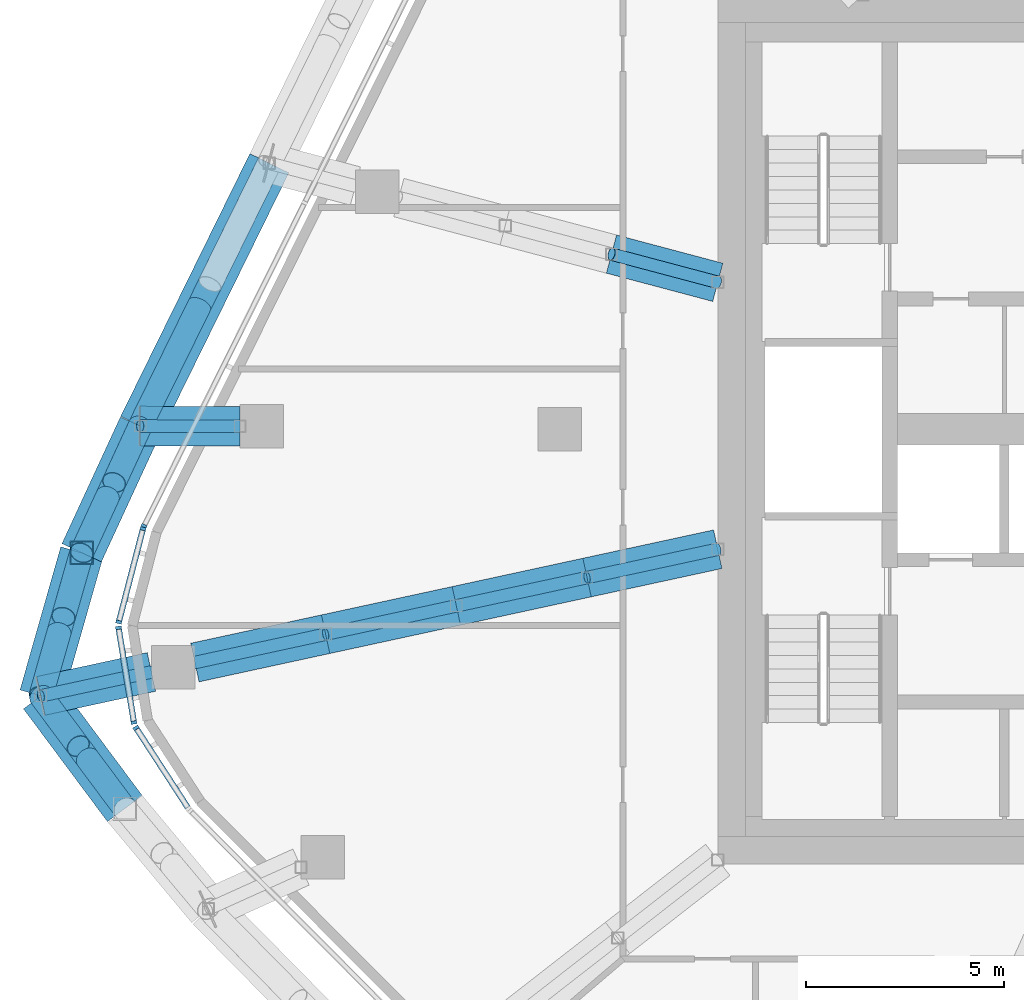
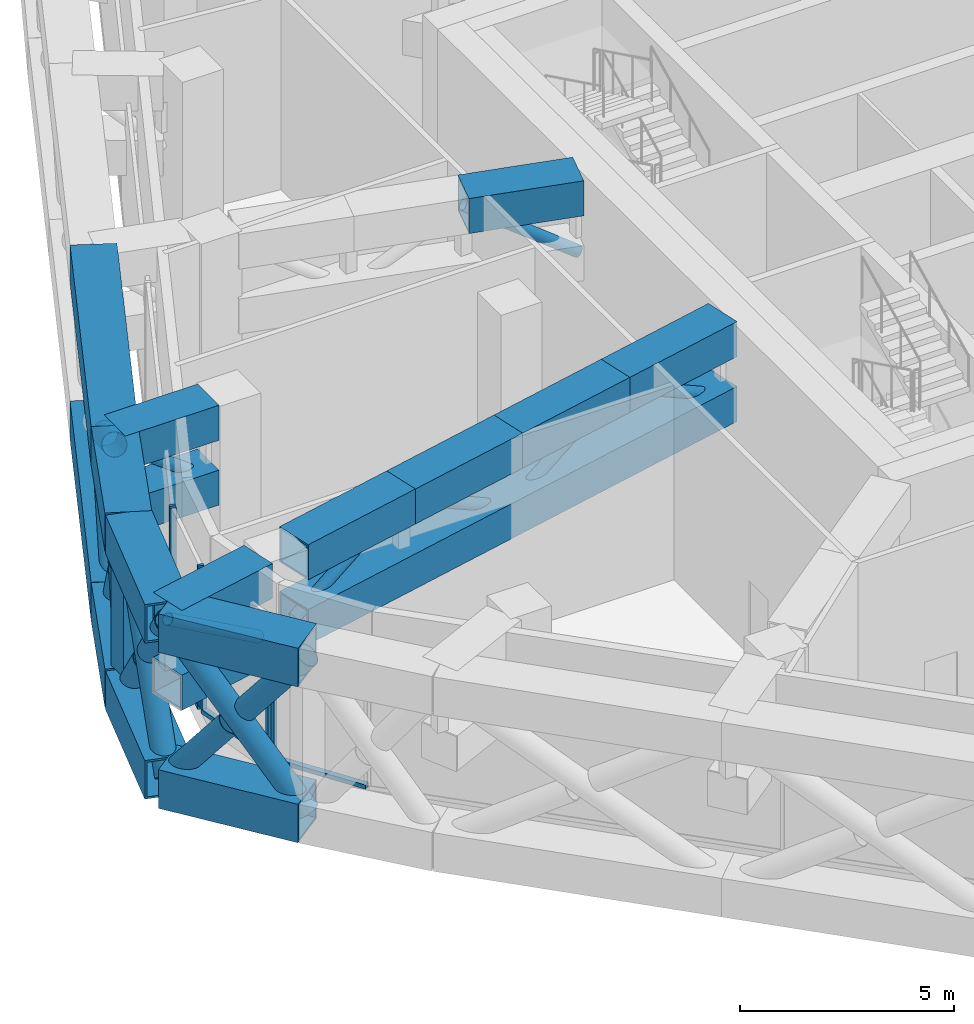
# One storey, part 3 of 31: 46 members, 2 elements without a shape of their own.
"""IFC4 building model written with IfcOpenShell, lengths in metres."""

from ifc_helpers import new_model, si_unit, direction, frame, origin, origin_2d, place, context, subcontext, project, spatial, rectangle, hollow_rectangle, hollow_circle, extrude, material, layer, layer_set, material_profile, profile_set, type_object, element, aggregate, save


model = new_model("IFC4")

# Units and contexts
model_context = context("Model", 3, precision=1e-05, world=origin(), true_north=direction((0.0, 1.0)))
body_context = subcontext(model_context, "Body", "Model", "MODEL_VIEW")
ifc_project = project(units=[si_unit("LENGTHUNIT", "METRE"), si_unit("AREAUNIT", "SQUARE_METRE"), si_unit("VOLUMEUNIT", "CUBIC_METRE"), si_unit("PLANEANGLEUNIT", "RADIAN"), si_unit("MASSUNIT", "GRAM", prefix="KILO")], contexts=[model_context])

# Site, building, storey
site_placement = place(None, origin())
site = spatial("IfcSite", under=ifc_project, at=site_placement, CompositionType="ELEMENT")
building_placement = place(site_placement, origin())
building = spatial("IfcBuilding", under=site, at=building_placement, Name="Dongbaek Canopy Tower", CompositionType="ELEMENT")
storey_placement = place(building_placement, frame((0.0, 0.0, 283.199951171875)))
storey = spatial("IfcBuildingStorey", under=building, at=storey_placement, Name="L60", CompositionType="ELEMENT", Elevation=283.199951171875)

# Members
ifc_material_1 = material(Name="Steel S355", Category="steel")
ifc_material_profile_1 = material_profile(ifc_material_1, hollow_circle(Radius=0.304931640625, WallThickness=0.01611328125, at=origin_2d()), Name="BELT BRACE CHS 610.0x16.0 Steel S355")
ifc_profile_set_1 = profile_set([ifc_material_profile_1], Name="Steel S355")
member_type_1 = type_object("IfcMemberType", Name="BELT BRACE CHS 610.0x16.0 Steel S355", PredefinedType="BRACE", material=ifc_profile_set_1)
member_1_placement = place(storey_placement, frame((-29.00390625, -9.598388671875, 0.550048828125), z_axis=(-0.372985869807, 0.500814092422, 0.78106772162), x_axis=(-0.802013033703, -0.597306532502, 0.0)))
element("IfcMember", 1, at=member_1_placement, inside=storey, type_object=member_type_1, Name="BELT:L60:7:D1:0", PredefinedType="BRACE", context=body_context, shape_type="SweptSolid", body=[
    extrude(hollow_circle(Radius=0.304931640625, WallThickness=0.01611328125, at=origin_2d()), origin(), (0.0, 0.0, 1.0), 5.697265625),
])
member_2_placement = place(storey_placement, frame((-31.12890625, -6.7451171875, 0.550048828125), z_axis=(0.372948777467, -0.50089119493, 0.781035991634), x_axis=(0.802085531024, 0.597209176857, 0.0)))
element("IfcMember", 2, at=member_2_placement, inside=storey, type_object=member_type_1, Name="BELT:L60:7:D1:1", PredefinedType="BRACE", context=body_context, shape_type="SweptSolid", body=[
    extrude(hollow_circle(Radius=0.304931640625, WallThickness=0.01611328125, at=origin_2d()), origin(), (0.0, 0.0, 1.0), 2.535888671875),
])
member_3_placement = place(storey_placement, frame((-29.00390625, -9.598388671875, 5.0), z_axis=(-0.372984743413, 0.500746941273, -0.781111312161), x_axis=(-0.801975526407, -0.597356890848, 0.0)))
element("IfcMember", 3, at=member_3_placement, inside=storey, type_object=member_type_1, Name="BELT:L60:7:D1:2", PredefinedType="BRACE", context=body_context, shape_type="SweptSolid", body=[
    extrude(hollow_circle(Radius=0.304931640625, WallThickness=0.01611328125, at=origin_2d()), origin(), (0.0, 0.0, 1.0), 2.53564453125),
])
member_4_placement = place(storey_placement, frame((-31.12890625, -6.7451171875, 0.550048828125), z_axis=(0.176923866556, 0.621390119723, 0.763264216739), x_axis=(-0.961775462076, 0.273839296939, 0.0)))
element("IfcMember", 4, at=member_4_placement, inside=storey, type_object=member_type_1, Name="BELT:L60:8:D0:0", PredefinedType="BRACE", context=body_context, shape_type="SweptSolid", body=[
    extrude(hollow_circle(Radius=0.304931640625, WallThickness=0.01611328125, at=origin_2d()), origin(), (0.0, 0.0, 1.0), 5.830078125),
])
member_5_placement = place(storey_placement, frame((-30.097412109375, -3.122314453125, 0.550048828125), z_axis=(-0.176968708838, -0.621404682754, 0.76324196448), x_axis=(0.961758871651, -0.273897558955, 0.0)))
element("IfcMember", 5, at=member_5_placement, inside=storey, type_object=member_type_1, Name="BELT:L60:8:D0:1", PredefinedType="BRACE", context=body_context, shape_type="SweptSolid", body=[
    extrude(hollow_circle(Radius=0.304931640625, WallThickness=0.01611328125, at=origin_2d()), origin(), (0.0, 0.0, 1.0), 2.60595703125),
])
member_6_placement = place(storey_placement, frame((-31.12890625, -6.7451171875, 5.0), z_axis=(0.176888254271, 0.621357469452, -0.763299050607), x_axis=(-0.961786189531, 0.273801617285, 0.0)))
element("IfcMember", 6, at=member_6_placement, inside=storey, type_object=member_type_1, Name="BELT:L60:8:D0:2", PredefinedType="BRACE", context=body_context, shape_type="SweptSolid", body=[
    extrude(hollow_circle(Radius=0.304931640625, WallThickness=0.01611328125, at=origin_2d()), origin(), (0.0, 0.0, 1.0), 2.605712890625),
])
member_7_placement = place(storey_placement, frame((-30.097412109375, -3.122314453125, 0.550048828125), z_axis=(0.260566629139, 0.564532383513, 0.783203817498), x_axis=(-0.907951293546, 0.419075707418, 0.0)))
element("IfcMember", 7, at=member_7_placement, inside=storey, type_object=member_type_1, Name="BELT:L60:8:D1:0", PredefinedType="BRACE", context=body_context, shape_type="SweptSolid", body=[
    extrude(hollow_circle(Radius=0.304931640625, WallThickness=0.01611328125, at=origin_2d()), origin(), (0.0, 0.0, 1.0), 5.681640625),
])
member_8_placement = place(storey_placement, frame((-28.616943359375, 0.085205078125, 0.550048828125), z_axis=(-0.260583165496, -0.564532469356, 0.783198253894), x_axis=(0.907941197922, -0.419097579468, 0.0)))
element("IfcMember", 8, at=member_8_placement, inside=storey, type_object=member_type_1, Name="BELT:L60:8:D1:1", PredefinedType="BRACE", context=body_context, shape_type="SweptSolid", body=[
    extrude(hollow_circle(Radius=0.304931640625, WallThickness=0.01611328125, at=origin_2d()), origin(), (0.0, 0.0, 1.0), 2.52783203125),
])
member_9_placement = place(storey_placement, frame((-30.097412109375, -3.122314453125, 5.0), z_axis=(0.260493136659, 0.56454667548, -0.783217962612), x_axis=(-0.908000300713, 0.41896951429, 0.0)))
element("IfcMember", 9, at=member_9_placement, inside=storey, type_object=member_type_1, Name="BELT:L60:8:D1:2", PredefinedType="BRACE", context=body_context, shape_type="SweptSolid", body=[
    extrude(hollow_circle(Radius=0.304931640625, WallThickness=0.01611328125, at=origin_2d()), origin(), (0.0, 0.0, 1.0), 2.527587890625),
])
member_10_placement = place(storey_placement, frame((-28.616943359375, 0.085205078125, 0.550048828125), z_axis=(0.378297305276, 0.769332559237, 0.514799535857), x_axis=(-0.897379051843, 0.441260509578, 0.0)))
element("IfcMember", 10, at=member_10_placement, inside=storey, type_object=member_type_1, Name="BELT:L60:9:D0:0", PredefinedType="BRACE", context=body_context, shape_type="SweptSolid", body=[
    extrude(hollow_circle(Radius=0.304931640625, WallThickness=0.01611328125, at=origin_2d()), origin(), (0.0, 0.0, 1.0), 8.64404296875),
])
member_11_placement = place(storey_placement, frame((-28.616943359375, 0.085205078125, 5.0), z_axis=(0.378276670849, 0.769324246995, -0.514827119796), x_axis=(-0.897386694704, 0.441244966167, 0.0)))
element("IfcMember", 11, at=member_11_placement, inside=storey, type_object=member_type_1, Name="BELT:L60:9:D0:2", PredefinedType="BRACE", context=body_context, shape_type="SweptSolid", body=[
    extrude(hollow_circle(Radius=0.304931640625, WallThickness=0.01611328125, at=origin_2d()), origin(), (0.0, 0.0, 1.0), 3.976318359375),
])
ifc_material_2 = material(Name="Steel S355", Category="steel")
ifc_material_profile_2 = material_profile(ifc_material_2, hollow_rectangle(XDim=1.10009765625, YDim=1.10009765625, WallThickness=0.054931640625, at=origin_2d()), Name="BELT CHORD BOX 1100x1100x55 Steel S355")
ifc_profile_set_2 = profile_set([ifc_material_profile_2], Name="Steel S355")
member_type_2 = type_object("IfcMemberType", Name="BELT CHORD BOX 1100x1100x55 Steel S355", PredefinedType="CHORD", material=ifc_profile_set_2)
for number, where, z_axis, x_axis, name in (
    (12, (-29.00390625, -9.598388671875, 0.550048828125), (-0.597306532502, 0.802013033703, 0.0), (-0.802013033703, -0.597306532502, 0.0), "BELT:L60:7:CB1"),
    (13, (-29.00390625, -9.598388671875, 5.0), (-0.597306532502, 0.802013033703, 0.0), (-0.802013033703, -0.597306532502, 0.0), "BELT:L60:7:CT1"),
):
    element("IfcMember", number, at=place(storey_placement, frame(where, z_axis=z_axis, x_axis=x_axis)), inside=storey, type_object=member_type_2, Name=name, PredefinedType="CHORD", context=body_context, shape_type="SweptSolid", body=[
        extrude(hollow_rectangle(XDim=1.10009765625, YDim=1.10009765625, WallThickness=0.054931640625, at=origin_2d()), origin(), (0.0, 0.0, 1.0), 3.5576171875),
    ])
for number, where, z_axis, x_axis, name in (
    (14, (-31.12890625, -6.7451171875, 0.550048828125), (0.273839296939, 0.961775462076, 0.0), (-0.961775462076, 0.273839296939, 0.0), "BELT:L60:8:CB0"),
    (15, (-31.12890625, -6.7451171875, 5.0), (0.273839296939, 0.961775462076, 0.0), (-0.961775462076, 0.273839296939, 0.0), "BELT:L60:8:CT0"),
):
    element("IfcMember", number, at=place(storey_placement, frame(where, z_axis=z_axis, x_axis=x_axis)), inside=storey, type_object=member_type_2, Name=name, PredefinedType="CHORD", context=body_context, shape_type="SweptSolid", body=[
        extrude(hollow_rectangle(XDim=1.10009765625, YDim=1.10009765625, WallThickness=0.054931640625, at=origin_2d()), origin(), (0.0, 0.0, 1.0), 3.766845703125),
    ])
for number, where, z_axis, x_axis, name in (
    (16, (-30.097412109375, -3.122314453125, 0.550048828125), (0.419075707418, 0.907951293546, 0.0), (-0.907951293546, 0.419075707418, 0.0), "BELT:L60:8:CB1"),
    (17, (-30.097412109375, -3.122314453125, 5.0), (0.419075707418, 0.907951293546, 0.0), (-0.907951293546, 0.419075707418, 0.0), "BELT:L60:8:CT1"),
):
    element("IfcMember", number, at=place(storey_placement, frame(where, z_axis=z_axis, x_axis=x_axis)), inside=storey, type_object=member_type_2, Name=name, PredefinedType="CHORD", context=body_context, shape_type="SweptSolid", body=[
        extrude(hollow_rectangle(XDim=1.10009765625, YDim=1.10009765625, WallThickness=0.054931640625, at=origin_2d()), origin(), (0.0, 0.0, 1.0), 3.53271484375),
    ])
for number, where, z_axis, x_axis, name in (
    (18, (-28.616943359375, 0.085205078125, 0.550048828125), (0.441260509578, 0.897379051843, 0.0), (-0.897379051843, 0.441260509578, 0.0), "BELT:L60:9:CB0"),
    (19, (-28.616943359375, 0.085205078125, 5.0), (0.441260509578, 0.897379051843, 0.0), (-0.897379051843, 0.441260509578, 0.0), "BELT:L60:9:CT0"),
):
    element("IfcMember", number, at=place(storey_placement, frame(where, z_axis=z_axis, x_axis=x_axis)), inside=storey, type_object=member_type_2, Name=name, PredefinedType="CHORD", context=body_context, shape_type="SweptSolid", body=[
        extrude(hollow_rectangle(XDim=1.10009765625, YDim=1.10009765625, WallThickness=0.054931640625, at=origin_2d()), origin(), (0.0, 0.0, 1.0), 7.41064453125),
    ])
ifc_material_3 = material(Name="Steel S355", Category="steel")
ifc_material_profile_3 = material_profile(ifc_material_3, hollow_rectangle(XDim=0.60009765625, YDim=0.60009765625, WallThickness=0.031982421875, at=origin_2d()), Name="BELT POST BOX 600x600x32 Steel S355")
ifc_profile_set_3 = profile_set([ifc_material_profile_3], Name="Steel S355")
member_type_3 = type_object("IfcMemberType", Name="BELT POST BOX 600x600x32 Steel S355", PredefinedType="POST", material=ifc_profile_set_3)
member_12_placement = place(storey_placement, frame((-30.097412109375, -3.122314453125, 1.10009765625), z_axis=(0.0, 0.0, 1.0), x_axis=(1.0, 0.0, 0.0)))
element("IfcMember", 20, at=member_12_placement, inside=storey, type_object=member_type_3, Name="BELT:L60:8:P1", PredefinedType="POST", context=body_context, shape_type="SweptSolid", body=[
    extrude(hollow_rectangle(XDim=0.60009765625, YDim=0.60009765625, WallThickness=0.031982421875, at=origin_2d()), origin(), (0.0, 0.0, 1.0), 3.349853515625),
])
ifc_material_4 = material(Name="Steel S355", Category="steel")
ifc_material_profile_4 = material_profile(ifc_material_4, hollow_circle(Radius=0.1591796875, WallThickness=0.01025390625, at=origin_2d()), Name="BRACE CHS 318.5x10.3 Steel S355")
ifc_profile_set_4 = profile_set([ifc_material_profile_4], Name="Steel S355")
member_type_4 = type_object("IfcMemberType", Name="BRACE CHS 318.5x10.3 Steel S355", PredefinedType="BRACE", material=ifc_profile_set_4)
member_13_placement = place(storey_placement, frame((-26.090087890625, 0.07763671875, 3.199951171875), z_axis=(-0.806848520377, 0.002416647742, 0.590753438398), x_axis=(-0.002995155647, -0.999995514511, 0.0)))
element("IfcMember", 21, at=member_13_placement, inside=storey, type_object=member_type_4, Name="TRUSS:L60:9:D0", PredefinedType="BRACE", context=body_context, shape_type="SweptSolid", body=[
    extrude(hollow_circle(Radius=0.1591796875, WallThickness=0.01025390625, at=origin_2d()), origin(), (0.0, 0.0, 1.0), 3.1318359375),
])
ifc_material_5 = material(Name="Steel S355", Category="steel")
ifc_material_profile_5 = material_profile(ifc_material_5, hollow_rectangle(XDim=1.0, YDim=1.0, WallThickness=0.050048828125, at=origin_2d()), Name="CHORD BOX 1000x1000x50 Steel S355")
ifc_profile_set_5 = profile_set([ifc_material_profile_5], Name="Steel S355")
member_type_5 = type_object("IfcMemberType", Name="CHORD BOX 1000x1000x50 Steel S355", PredefinedType="CHORD", material=ifc_profile_set_5)
for number, where, z_axis, x_axis, name in (
    (22, (-26.090087890625, 0.07763671875, 3.199951171875), (-0.999995514511, 0.002995155647, 0.0), (-0.002995155647, -0.999995514511, 0.0), "TRUSS:L60:9:CB"),
    (23, (-26.090087890625, 0.07763671875, 5.050048828125), (-0.999995514511, 0.002995155647, 0.0), (-0.002995155647, -0.999995514511, 0.0), "TRUSS:L60:9:CT0"),
):
    element("IfcMember", number, at=place(storey_placement, frame(where, z_axis=z_axis, x_axis=x_axis)), inside=storey, type_object=member_type_5, Name=name, PredefinedType="CHORD", context=body_context, shape_type="SweptSolid", body=[
        extrude(hollow_rectangle(XDim=1.0, YDim=1.0, WallThickness=0.050048828125, at=origin_2d()), origin(), (0.0, 0.0, 1.0), 2.52685546875),
    ])

# Curtain wall, member
ifc_material_6 = material(Name="Aluminium 6063-T6 pale anodised", Category="aluminium")
ifc_layer = layer(ifc_material_6, 0.14990234375)
ifc_layer_set = layer_set([ifc_layer], Name="CW-7 louvre curtain wall")
curtain_wall_type = type_object("IfcCurtainWallType", Name="CW-7 louvre curtain wall", PredefinedType="NOTDEFINED", material=ifc_layer_set)
curtain_wall_1_placement = place(storey_placement, origin())
curtain_wall_1 = element("IfcCurtainWall", 24, at=curtain_wall_1_placement, inside=storey, type_object=curtain_wall_type, Name="CW-7 louvre wall L60 F2", PredefinedType="NOTDEFINED")
ifc_material_7 = material(Name="Aluminium 6063-T6 pale anodised", Category="aluminium")
ifc_material_profile_6 = material_profile(ifc_material_7, rectangle(XDim=0.14990234375, YDim=0.080078125, at=origin_2d()), Name="CW-7 mullion 80 x 150")
ifc_profile_set_6 = profile_set([ifc_material_profile_6], Name="Aluminium 6063-T6 pale anodised")
member_type_6 = type_object("IfcMemberType", Name="CW-7 mullion 80 x 150", PredefinedType="MULLION", material=ifc_profile_set_6)
member_14_placement = place(storey_placement, frame((-28.52001953125, -2.447265625, 0.775146484375), z_axis=(0.0, 0.0, 1.0), x_axis=(-0.895549435021, 0.444962031451, 0.0)))
member_14 = element("IfcMember", 25, at=member_14_placement, type_object=member_type_6, Name="CW-7 mullion L60 F2.1.4", PredefinedType="MULLION", context=body_context, shape_type="SweptSolid", body=[
    extrude(rectangle(XDim=0.14990234375, YDim=0.080078125, at=origin_2d()), origin(), (0.0, 0.0, 1.0), 4.0),
])
aggregate(curtain_wall_1, [member_14])

# Curtain wall, members
curtain_wall_2_placement = place(storey_placement, origin())
curtain_wall_2 = element("IfcCurtainWall", 26, at=curtain_wall_2_placement, inside=storey, type_object=curtain_wall_type, Name="CW-7 louvre wall L60 K3", PredefinedType="NOTDEFINED")
member_15_placement = place(storey_placement, frame((-28.54541015625, -2.51513671875, 0.775146484375), z_axis=(0.0, 0.0, 1.0), x_axis=(-0.967992389795, 0.25097954757, 0.0)))
member_15 = element("IfcMember", 27, at=member_15_placement, type_object=member_type_6, Name="CW-7 mullion L60 K3.1.1", PredefinedType="MULLION", context=body_context, shape_type="SweptSolid", body=[
    extrude(rectangle(XDim=0.14990234375, YDim=0.080078125, at=origin_2d()), origin(), (0.0, 0.0, 1.0), 4.0),
])
member_16_placement = place(storey_placement, frame((-29.15771484375, -4.876953125, 0.775146484375), z_axis=(0.0, 0.0, 1.0), x_axis=(-0.967992389795, 0.25097954757, 0.0)))
member_16 = element("IfcMember", 28, at=member_16_placement, type_object=member_type_6, Name="CW-7 mullion L60 K3.1.2", PredefinedType="MULLION", context=body_context, shape_type="SweptSolid", body=[
    extrude(rectangle(XDim=0.14990234375, YDim=0.080078125, at=origin_2d()), origin(), (0.0, 0.0, 1.0), 4.0),
])
member_17_placement = place(storey_placement, frame((-29.16455078125, -5.02099609375, 0.775146484375), z_axis=(0.0, 0.0, 1.0), x_axis=(-0.987037389382, -0.160490473121, 0.0)))
member_17 = element("IfcMember", 29, at=member_17_placement, type_object=member_type_6, Name="CW-7 mullion L60 K3.2.1", PredefinedType="MULLION", context=body_context, shape_type="SweptSolid", body=[
    extrude(rectangle(XDim=0.14990234375, YDim=0.080078125, at=origin_2d()), origin(), (0.0, 0.0, 1.0), 4.0),
])
member_18_placement = place(storey_placement, frame((-28.774658203125, -7.4189453125, 0.775146484375), z_axis=(0.0, 0.0, 1.0), x_axis=(-0.987037389382, -0.160490473121, 0.0)))
member_18 = element("IfcMember", 30, at=member_18_placement, type_object=member_type_6, Name="CW-7 mullion L60 K3.2.2", PredefinedType="MULLION", context=body_context, shape_type="SweptSolid", body=[
    extrude(rectangle(XDim=0.14990234375, YDim=0.080078125, at=origin_2d()), origin(), (0.0, 0.0, 1.0), 4.0),
])
member_19_placement = place(storey_placement, frame((-28.72265625, -7.553466796875, 0.775146484375), z_axis=(0.0, 0.0, 1.0), x_axis=(-0.838611468933, -0.544730028706, 0.0)))
member_19 = element("IfcMember", 31, at=member_19_placement, type_object=member_type_6, Name="CW-7 mullion L60 K3.3.1", PredefinedType="MULLION", context=body_context, shape_type="SweptSolid", body=[
    extrude(rectangle(XDim=0.14990234375, YDim=0.080078125, at=origin_2d()), origin(), (0.0, 0.0, 1.0), 4.0),
])
ifc_material_8 = material(Name="Aluminium 6063-T6 pale anodised", Category="aluminium")
ifc_material_profile_7 = material_profile(ifc_material_8, rectangle(XDim=0.14990234375, YDim=0.1201171875, at=origin_2d()), Name="CW-7 transom 120 x 150")
ifc_profile_set_7 = profile_set([ifc_material_profile_7], Name="Aluminium 6063-T6 pale anodised")
member_type_7 = type_object("IfcMemberType", Name="CW-7 transom 120 x 150", PredefinedType="USERDEFINED", material=ifc_profile_set_7)
member_20_placement = place(storey_placement, frame((-28.54541015625, -2.51513671875, 0.715087890625), z_axis=(-0.250955213608, -0.96799869874, 0.0), x_axis=(0.96799869874, -0.250955213608, 0.0)))
member_20 = element("IfcMember", 32, at=member_20_placement, type_object=member_type_7, Name="CW-7 transom L60 K3.1", ObjectType="TRANSOM", PredefinedType="USERDEFINED", context=body_context, shape_type="SweptSolid", body=[
    extrude(rectangle(XDim=0.14990234375, YDim=0.1201171875, at=origin_2d()), origin(), (0.0, 0.0, 1.0), 2.43994140625),
])
member_21_placement = place(storey_placement, frame((-29.16455078125, -5.02099609375, 0.715087890625), z_axis=(0.160486632868, -0.987038013792, 0.0), x_axis=(0.987038013792, 0.160486632868, 0.0)))
member_21 = element("IfcMember", 33, at=member_21_placement, type_object=member_type_7, Name="CW-7 transom L60 K3.2", ObjectType="TRANSOM", PredefinedType="USERDEFINED", context=body_context, shape_type="SweptSolid", body=[
    extrude(rectangle(XDim=0.14990234375, YDim=0.1201171875, at=origin_2d()), origin(), (0.0, 0.0, 1.0), 2.429443359375),
])
member_22_placement = place(storey_placement, frame((-28.72265625, -7.553466796875, 0.715087890625), z_axis=(0.544731578252, -0.838610462405, 0.0), x_axis=(0.838610462405, 0.544731578252, 0.0)))
member_22 = element("IfcMember", 34, at=member_22_placement, type_object=member_type_7, Name="CW-7 transom L60 K3.3", ObjectType="TRANSOM", PredefinedType="USERDEFINED", context=body_context, shape_type="SweptSolid", body=[
    extrude(rectangle(XDim=0.14990234375, YDim=0.1201171875, at=origin_2d()), origin(), (0.0, 0.0, 1.0), 2.43994140625),
])
aggregate(curtain_wall_2, [member_20, member_15, member_16, member_21, member_17, member_18, member_22, member_19])

# Members
ifc_material_9 = material(Name="Steel S355", Category="steel")
ifc_material_profile_8 = material_profile(ifc_material_9, hollow_circle(Radius=0.1591796875, WallThickness=0.01025390625, at=origin_2d()), Name="OUTRIGGER BRACE CHS 318.5x10.3 Steel S355")
ifc_profile_set_8 = profile_set([ifc_material_profile_8], Name="Steel S355")
member_type_8 = type_object("IfcMemberType", Name="OUTRIGGER BRACE CHS 318.5x10.3 Steel S355", PredefinedType="BRACE", material=ifc_profile_set_8)
member_23_placement = place(storey_placement, frame((-14.0, -3.03369140625, 3.199951171875), z_axis=(-0.85758002778, -0.185819554359, 0.479611915167), x_axis=(0.211764829133, -0.977320652162, 0.0)))
element("IfcMember", 35, at=member_23_placement, inside=storey, type_object=member_type_8, Name="TRUSS:L60:8:D0", PredefinedType="BRACE", context=body_context, shape_type="SweptSolid", body=[
    extrude(hollow_circle(Radius=0.1591796875, WallThickness=0.01025390625, at=origin_2d()), origin(), (0.0, 0.0, 1.0), 3.857421875),
])
member_24_placement = place(storey_placement, frame((-17.30810546875, -3.75048828125, 5.050048828125), z_axis=(-0.857563282626, -0.185829640401, -0.479637947874), x_axis=(0.211779757716, -0.977317417333, 0.0)))
element("IfcMember", 36, at=member_24_placement, inside=storey, type_object=member_type_8, Name="TRUSS:L60:8:D1", PredefinedType="BRACE", context=body_context, shape_type="SweptSolid", body=[
    extrude(hollow_circle(Radius=0.1591796875, WallThickness=0.01025390625, at=origin_2d()), origin(), (0.0, 0.0, 1.0), 3.857177734375),
])
member_25_placement = place(storey_placement, frame((-20.615966796875, -4.46728515625, 3.199951171875), z_axis=(-0.85758002778, -0.185819554359, 0.479611915167), x_axis=(0.211764829133, -0.977320652162, 0.0)))
element("IfcMember", 37, at=member_25_placement, inside=storey, type_object=member_type_8, Name="TRUSS:L60:8:D2", PredefinedType="BRACE", context=body_context, shape_type="SweptSolid", body=[
    extrude(hollow_circle(Radius=0.1591796875, WallThickness=0.01025390625, at=origin_2d()), origin(), (0.0, 0.0, 1.0), 3.857421875),
])
member_26_placement = place(storey_placement, frame((-23.924072265625, -5.18408203125, 5.050048828125), z_axis=(-0.857563282626, -0.185829640401, -0.479637947874), x_axis=(0.211779757716, -0.977317417333, 0.0)))
element("IfcMember", 38, at=member_26_placement, inside=storey, type_object=member_type_8, Name="TRUSS:L60:8:D3", PredefinedType="BRACE", context=body_context, shape_type="SweptSolid", body=[
    extrude(hollow_circle(Radius=0.1591796875, WallThickness=0.01025390625, at=origin_2d()), origin(), (0.0, 0.0, 1.0), 3.857177734375),
])
member_27_placement = place(storey_placement, frame((-28.33203125, -6.13916015625, 3.199951171875), z_axis=(-0.820746736472, -0.177818907116, 0.542913649527), x_axis=(0.211742482203, -0.977325494004, 0.0)))
element("IfcMember", 39, at=member_27_placement, inside=storey, type_object=member_type_8, Name="TRUSS:L60:8s:D0", PredefinedType="BRACE", context=body_context, shape_type="SweptSolid", body=[
    extrude(hollow_circle(Radius=0.1591796875, WallThickness=0.01025390625, at=origin_2d()), origin(), (0.0, 0.0, 1.0), 3.40771484375),
])
member_28_placement = place(storey_placement, frame((-14.0, 3.72021484375, 3.199951171875), z_axis=(-0.804890800002, 0.213877871168, 0.553540473946), x_axis=(-0.256810939483, -0.966461660575, 0.0)))
element("IfcMember", 40, at=member_28_placement, inside=storey, type_object=member_type_8, Name="TRUSS:L60:10:D0", PredefinedType="BRACE", context=body_context, shape_type="SweptSolid", body=[
    extrude(hollow_circle(Radius=0.1591796875, WallThickness=0.01025390625, at=origin_2d()), origin(), (0.0, 0.0, 1.0), 3.34228515625),
])
ifc_material_10 = material(Name="Steel S355", Category="steel")
ifc_material_profile_9 = material_profile(ifc_material_10, hollow_rectangle(XDim=1.0, YDim=1.0, WallThickness=0.050048828125, at=origin_2d()), Name="OUTRIGGER CHORD BOX 1000x1000x50 Steel S355")
ifc_profile_set_9 = profile_set([ifc_material_profile_9], Name="Steel S355")
member_type_9 = type_object("IfcMemberType", Name="OUTRIGGER CHORD BOX 1000x1000x50 Steel S355", PredefinedType="CHORD", material=ifc_profile_set_9)
member_29_placement = place(storey_placement, frame((-14.0, -3.03369140625, 3.199951171875), z_axis=(-0.977319034833, -0.211772293167, 0.0), x_axis=(0.211772293167, -0.977319034833, 0.0)))
element("IfcMember", 41, at=member_29_placement, inside=storey, type_object=member_type_9, Name="TRUSS:L60:8:CB", PredefinedType="CHORD", context=body_context, shape_type="SweptSolid", body=[
    extrude(hollow_rectangle(XDim=1.0, YDim=1.0, WallThickness=0.050048828125, at=origin_2d()), origin(), (0.0, 0.0, 1.0), 13.5390625),
])
member_30_placement = place(storey_placement, frame((-14.0, -3.03369140625, 5.050048828125), z_axis=(-0.977320652162, -0.211764829133, 0.0), x_axis=(0.211764829133, -0.977320652162, 0.0)))
element("IfcMember", 42, at=member_30_placement, inside=storey, type_object=member_type_9, Name="TRUSS:L60:8:CT0", PredefinedType="CHORD", context=body_context, shape_type="SweptSolid", body=[
    extrude(hollow_rectangle(XDim=1.0, YDim=1.0, WallThickness=0.050048828125, at=origin_2d()), origin(), (0.0, 0.0, 1.0), 3.384765625),
])
member_31_placement = place(storey_placement, frame((-17.30810546875, -3.75048828125, 5.050048828125), z_axis=(-0.977317417333, -0.211779757716, 0.0), x_axis=(0.211779757716, -0.977317417333, 0.0)))
element("IfcMember", 43, at=member_31_placement, inside=storey, type_object=member_type_9, Name="TRUSS:L60:8:CT1", PredefinedType="CHORD", context=body_context, shape_type="SweptSolid", body=[
    extrude(hollow_rectangle(XDim=1.0, YDim=1.0, WallThickness=0.050048828125, at=origin_2d()), origin(), (0.0, 0.0, 1.0), 3.384521484375),
])
member_32_placement = place(storey_placement, frame((-20.615966796875, -4.46728515625, 5.050048828125), z_axis=(-0.977320652162, -0.211764829133, 0.0), x_axis=(0.211764829133, -0.977320652162, 0.0)))
element("IfcMember", 44, at=member_32_placement, inside=storey, type_object=member_type_9, Name="TRUSS:L60:8:CT2", PredefinedType="CHORD", context=body_context, shape_type="SweptSolid", body=[
    extrude(hollow_rectangle(XDim=1.0, YDim=1.0, WallThickness=0.050048828125, at=origin_2d()), origin(), (0.0, 0.0, 1.0), 3.384765625),
])
member_33_placement = place(storey_placement, frame((-23.924072265625, -5.18408203125, 5.050048828125), z_axis=(-0.977317417333, -0.211779757716, 0.0), x_axis=(0.211779757716, -0.977317417333, 0.0)))
element("IfcMember", 45, at=member_33_placement, inside=storey, type_object=member_type_9, Name="TRUSS:L60:8:CT3", PredefinedType="CHORD", context=body_context, shape_type="SweptSolid", body=[
    extrude(hollow_rectangle(XDim=1.0, YDim=1.0, WallThickness=0.050048828125, at=origin_2d()), origin(), (0.0, 0.0, 1.0), 3.384521484375),
])
for number, where, z_axis, x_axis, name in (
    (46, (-28.33203125, -6.13916015625, 3.199951171875), (-0.977325494004, -0.211742482203, 0.0), (0.211742482203, -0.977325494004, 0.0), "TRUSS:L60:8s:CB"),
    (47, (-28.33203125, -6.13916015625, 5.050048828125), (-0.977325494004, -0.211742482203, 0.0), (0.211742482203, -0.977325494004, 0.0), "TRUSS:L60:8s:CT0"),
):
    element("IfcMember", number, at=place(storey_placement, frame(where, z_axis=z_axis, x_axis=x_axis)), inside=storey, type_object=member_type_9, Name=name, PredefinedType="CHORD", context=body_context, shape_type="SweptSolid", body=[
        extrude(hollow_rectangle(XDim=1.0, YDim=1.0, WallThickness=0.050048828125, at=origin_2d()), origin(), (0.0, 0.0, 1.0), 2.86181640625),
    ])
member_34_placement = place(storey_placement, frame((-14.0, 3.72021484375, 5.050048828125), z_axis=(-0.966461660575, 0.256810939483, 0.0), x_axis=(-0.256810939483, -0.966461660575, 0.0)))
element("IfcMember", 48, at=member_34_placement, inside=storey, type_object=member_type_9, Name="TRUSS:L60:10:CT0", PredefinedType="CHORD", context=body_context, shape_type="SweptSolid", body=[
    extrude(hollow_rectangle(XDim=1.0, YDim=1.0, WallThickness=0.050048828125, at=origin_2d()), origin(), (0.0, 0.0, 1.0), 2.783447265625),
])

save(model, "model.ifc")
